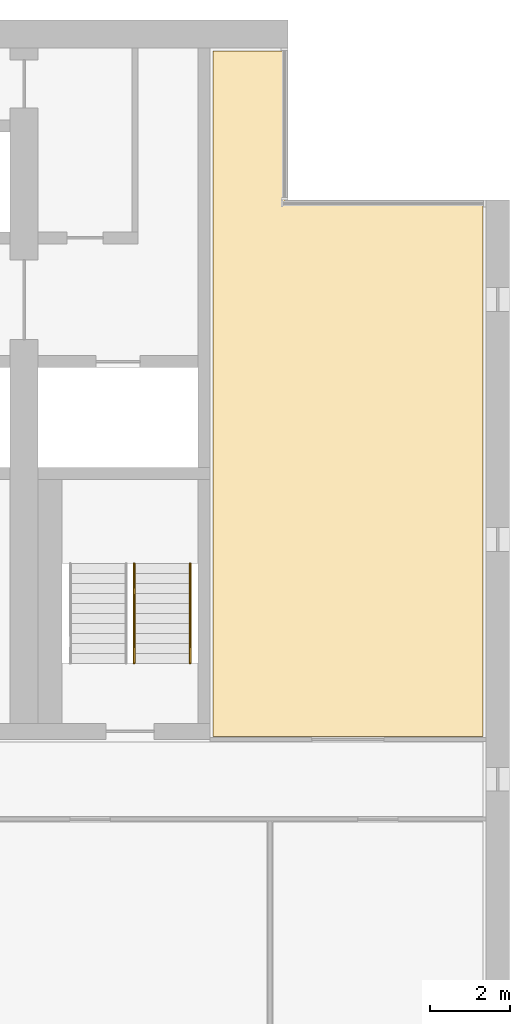
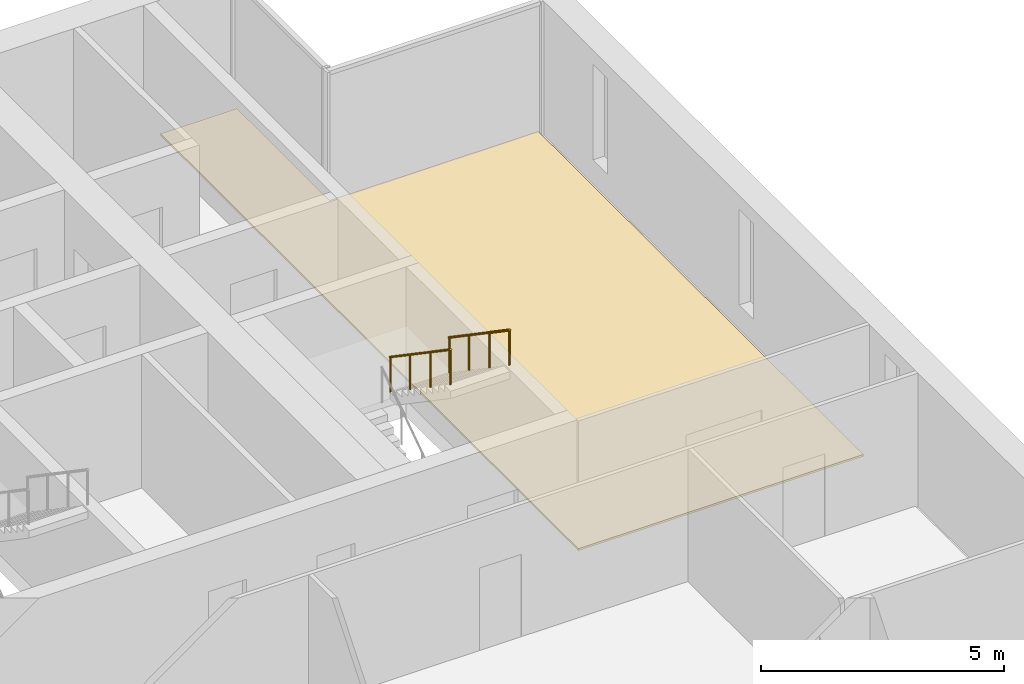
# One storey, part 17 of 17: 2 railings, 1 covering, 1 element without a shape of its own.
"""IFC4 building model written with IfcOpenShell, lengths in metres."""

import ifcopenshell
import ifcopenshell.guid

model = None  # the IFC model being written
_history = None  # IfcOwnerHistory: only IFC2X3 demands one
_inside = {}  # id of a spatial element -> (the spatial element, [elements in it])
_under = {}  # id of a project, library or spatial element -> (it, [spatial elements below it])
_declared = {}  # id of a project -> (the project, [libraries it declares])
_typed = {}  # id of a type object -> (the type object, [elements of that type])
_made_of = {}  # id of a material, layer set ... -> (it, [elements and type objects made of it])


def new_model(schema):
    """Start an empty IFC model of exactly this schema.

    Asked for "IFC4X3", IfcOpenShell would pick the latest addendum, in which some entities
    have other attributes; the version numbers below select the first issue.
    IFC2X3 requires an IfcOwnerHistory on every rooted entity: one is made here for all.
    """
    global model, _history
    if schema == "IFC4X3":
        model = ifcopenshell.file(schema_version=(4, 3, 0, 0))
    else:
        model = ifcopenshell.file(schema=schema)
    _inside.clear()
    _under.clear()
    _declared.clear()
    _typed.clear()
    _made_of.clear()
    _history = None
    if model.schema == "IFC2X3":
        org = make("IfcOrganization", Name="unknown")
        user = make(
            "IfcPersonAndOrganization",
            ThePerson=make("IfcPerson", FamilyName="unknown"),
            TheOrganization=org,
        )
        app = make(
            "IfcApplication",
            ApplicationDeveloper=org,
            Version="unknown",
            ApplicationFullName="unknown",
            ApplicationIdentifier="unknown",
        )
        _history = make(
            "IfcOwnerHistory",
            OwningUser=user,
            OwningApplication=app,
            ChangeAction="ADDED",
            CreationDate=0,
        )
    return model


def make(cls, **values):
    """One entity of the class cls with the attributes given. An attribute that is None is left unset."""
    return model.create_entity(
        cls, **{name: value for name, value in values.items() if value is not None}
    )


def rooted(cls, **values):
    """An entity with a GlobalId (a new one), such as an element, a storey or a relation."""
    return make(cls, GlobalId=ifcopenshell.guid.new(), OwnerHistory=_history, **values)


def si_unit(unit_type, name, prefix=None):
    """IfcSIUnit, for example si_unit("LENGTHUNIT", "METRE", prefix="MILLI")."""
    return make("IfcSIUnit", UnitType=unit_type, Prefix=prefix, Name=name)


def assignment(units):
    """IfcUnitAssignment: the units of a project."""
    return None if units is None else make("IfcUnitAssignment", Units=units)


def point(xyz):
    """IfcCartesianPoint."""
    return None if xyz is None else make("IfcCartesianPoint", Coordinates=xyz)


def direction(xyz):
    """IfcDirection."""
    return None if xyz is None else make("IfcDirection", DirectionRatios=xyz)


def frame(location, z_axis=None, x_axis=None):
    """IfcAxis2Placement3D, a coordinate frame: its origin and axes. An axis left out is left unset."""
    return make(
        "IfcAxis2Placement3D",
        Location=point(location),
        Axis=direction(z_axis),
        RefDirection=direction(x_axis),
    )


def frame_2d(location, x_axis=None):
    """IfcAxis2Placement2D, a coordinate frame in the plane: its origin and x axis."""
    return make(
        "IfcAxis2Placement2D", Location=point(location), RefDirection=direction(x_axis)
    )


def origin():
    """The frame at (0, 0, 0) with its axes left unset."""
    return frame((0.0, 0.0, 0.0))


def origin_2d():
    """The frame at (0, 0) in the plane with its x axis left unset."""
    return frame_2d((0.0, 0.0))


def place(relative_to, where):
    """IfcLocalPlacement: puts the frame where relative to a parent placement (None: the world)."""
    return make(
        "IfcLocalPlacement", PlacementRelTo=relative_to, RelativePlacement=where
    )


def context(
    kind, dimensions, precision=None, world=None, true_north=None, identifier=None
):
    """IfcGeometricRepresentationContext, for example the 3D "Model" context."""
    return make(
        "IfcGeometricRepresentationContext",
        ContextIdentifier=identifier,
        ContextType=kind,
        CoordinateSpaceDimension=dimensions,
        Precision=precision,
        WorldCoordinateSystem=world,
        TrueNorth=true_north,
    )


def subcontext(parent, identifier, kind, view, scale=None):
    """IfcGeometricRepresentationSubContext, for example "Body" below "Model"."""
    return make(
        "IfcGeometricRepresentationSubContext",
        ContextIdentifier=identifier,
        ContextType=kind,
        ParentContext=parent,
        TargetScale=scale,
        TargetView=view,
    )


def project(units=None, contexts=None):
    """IfcProject with its units and contexts."""
    return rooted(
        "IfcProject",
        Name="project",
        RepresentationContexts=contexts,
        UnitsInContext=assignment(units),
    )


def spatial(cls, under=None, at=None, **own):
    """A site, building, storey or space (cls), placed at a placement, below another one or the project."""
    s = rooted(cls, ObjectPlacement=at, **own)
    if under is not None:
        _under.setdefault(under.id(), (under, []))[1].append(s)
    return s


def polyline(points):
    """IfcPolyline through the points."""
    return make("IfcPolyline", Points=[point(p) for p in points])


def profile(cls, at=None, kind="AREA", **sizes):
    """A parametric profile (cls). Its sizes go by their IFC names, for example OverallWidth=200.0."""
    return make(cls, ProfileType=kind, Position=at, **sizes)


def circle(**sizes):
    """IfcCircleProfileDef."""
    return profile("IfcCircleProfileDef", **sizes)


def outline(outer, holes=None, kind="AREA"):
    """IfcArbitraryClosedProfileDef: a profile drawn as a closed curve; with holes, ...WithVoids."""
    if holes is None:
        return make("IfcArbitraryClosedProfileDef", ProfileType=kind, OuterCurve=outer)
    return make(
        "IfcArbitraryProfileDefWithVoids",
        ProfileType=kind,
        OuterCurve=outer,
        InnerCurves=holes,
    )


def extrude(swept, where, along, depth):
    """IfcExtrudedAreaSolid: the profile swept, set in the frame where, extruded along a direction by depth."""
    return make(
        "IfcExtrudedAreaSolid",
        SweptArea=swept,
        Position=where,
        ExtrudedDirection=direction(along),
        Depth=depth,
    )


def shape(context_of_items, identifier, shape_type, items):
    """IfcShapeRepresentation: the items that make up one representation, for example the "Body"."""
    return make(
        "IfcShapeRepresentation",
        ContextOfItems=context_of_items,
        RepresentationIdentifier=identifier,
        RepresentationType=shape_type,
        Items=items,
    )


def material(Name=None, Category=None):
    """IfcMaterial."""
    return make("IfcMaterial", Name=Name, Category=Category)


def layer(
    of_material, thickness, ventilated=None, Name=None, Category=None, Priority=None
):
    """IfcMaterialLayer: one layer of a wall or slab, of a material (None: an air gap)."""
    return make(
        "IfcMaterialLayer",
        Material=of_material,
        LayerThickness=thickness,
        IsVentilated=ventilated,
        Name=Name,
        Category=Category,
        Priority=Priority,
    )


def layer_set(layers, Name=None):
    """IfcMaterialLayerSet."""
    return make("IfcMaterialLayerSet", MaterialLayers=layers, LayerSetName=Name)


def made_of(thing, what):
    """Note that an element or type object is made of a material, layer set ...; save() writes the relation."""
    if what is not None:
        _made_of.setdefault(what.id(), (what, []))[1].append(thing)
    return thing


def type_object(cls, material=None, **own):
    """A type object (cls), such as IfcWallType, which elements share."""
    return made_of(rooted(cls, **own), material)


def element(
    cls,
    number,
    at=None,
    inside=None,
    cuts=None,
    type_object=None,
    material=None,
    context=None,
    identifier="Body",
    shape_type=None,
    held_by="IfcProductDefinitionShape",
    body=None,
    shapes=None,
    **own,
):
    """One element of the class cls, such as IfcWall. Its Tag is "e" and its number.

    at: its placement. inside: the storey or other place that contains it. cuts: it is an
    opening in that element (IfcRelVoidsElement). A single representation is given by context,
    identifier, shape_type and body (its items); several are given by shapes. held_by: the class
    of the entity that holds the representations. save() writes the other relations.
    """
    e = rooted(cls, Tag="e%d" % number, ObjectPlacement=at, **own)
    if body is not None:
        shapes = [shape(context, identifier, shape_type, body)]
    if shapes is not None:
        e.Representation = make(held_by, Representations=shapes)
    if inside is not None:
        _inside.setdefault(inside.id(), (inside, []))[1].append(e)
    if cuts is not None:
        rooted(
            "IfcRelVoidsElement", RelatingBuildingElement=cuts, RelatedOpeningElement=e
        )
    if type_object is not None:
        _typed.setdefault(type_object.id(), (type_object, []))[1].append(e)
    return made_of(e, material)


def aggregate(whole, parts):
    """IfcRelAggregates: a whole, such as a stair, and the parts it consists of."""
    return rooted("IfcRelAggregates", RelatingObject=whole, RelatedObjects=parts)


def save(model, path):
    """Write the relations noted so far, then the file.

    IfcRelAggregates (storeys below a building ...), IfcRelContainedInSpatialStructure (elements
    in a storey), IfcRelDefinesByType, IfcRelAssociatesMaterial and IfcRelDeclares: one each for
    every whole, place, type object, material and project.
    """
    for whole, parts in _under.values():
        aggregate(whole, parts)
    for where, things in _inside.values():
        rooted(
            "IfcRelContainedInSpatialStructure",
            RelatedElements=things,
            RelatingStructure=where,
        )
    for kind, things in _typed.values():
        rooted("IfcRelDefinesByType", RelatedObjects=things, RelatingType=kind)
    for what, things in _made_of.values():
        rooted("IfcRelAssociatesMaterial", RelatedObjects=things, RelatingMaterial=what)
    for by, libraries in _declared.values():
        rooted("IfcRelDeclares", RelatingContext=by, RelatedDefinitions=libraries)
    model.write(path)


model = new_model("IFC4")

# Units and contexts
model_context = context("Model", 3, precision=1e-05, world=origin(), true_north=direction((0.0, 1.0)))
body_context = subcontext(model_context, "Body", "Model", "MODEL_VIEW")
ifc_project = project(units=[si_unit("LENGTHUNIT", "METRE"), si_unit("AREAUNIT", "SQUARE_METRE"), si_unit("VOLUMEUNIT", "CUBIC_METRE"), si_unit("PLANEANGLEUNIT", "RADIAN"), si_unit("MASSUNIT", "GRAM", prefix="KILO")], contexts=[model_context])

# Site, building, storey
site_placement = place(None, origin())
site = spatial("IfcSite", under=ifc_project, at=site_placement, CompositionType="ELEMENT")
building_placement = place(site_placement, origin())
building = spatial("IfcBuilding", under=site, at=building_placement, Name="Calvaro Tower", CompositionType="ELEMENT")
storey_placement = place(building_placement, frame((0.0, 0.0, 174.25)))
storey = spatial("IfcBuildingStorey", under=building, at=storey_placement, Name="L43", CompositionType="ELEMENT", Elevation=174.25)

# Covering
ifc_material_1 = material(Name="Cement screed with carpet tile finish")
ifc_layer = layer(ifc_material_1, 0.050048828125)
ifc_layer_set = layer_set([ifc_layer], Name="Cement screed with carpet tile finish")
covering_type = type_object("IfcCoveringType", Name="Floor finish 50", PredefinedType="FLOORING", material=ifc_layer_set)
covering_placement = place(storey_placement, origin())
element("IfcCovering", 1, at=covering_placement, inside=storey, type_object=covering_type, Name="Floor finish 25.19", PredefinedType="FLOORING", context=body_context, shape_type="SweptSolid", body=[
    extrude(outline(polyline([(71.330078125, 28.070068359375), (64.570068359375, 28.070068359375), (64.570068359375, 45.22998046875), (66.3798828125, 45.22998046875), (66.3798828125, 41.429931640625), (71.330078125, 41.429931640625), (71.330078125, 28.070068359375)])), origin(), (0.0, 0.0, 1.0), 0.050048828125),
])

# Stair, railings
ifc_material_2 = material(Name="Concrete C40/50", Category="concrete")
stair_type = type_object("IfcStairType", Name="Exit stair 1400 2 flights", PredefinedType="HALF_TURN_STAIR", material=ifc_material_2)
stair_placement = place(storey_placement, origin())
stair = element("IfcStair", 2, at=stair_placement, inside=storey, type_object=stair_type, Name="Exit stair S5", PredefinedType="HALF_TURN_STAIR")
ifc_material_3 = material(Name="Stainless steel", Category="steel")
railing_type = type_object("IfcRailingType", Name="Stair handrail", PredefinedType="HANDRAIL", material=ifc_material_3)
railing_1_placement = place(storey_placement, frame((62.60009765625, 32.39990234375, 2.04541015625)))
railing_1 = element("IfcRailing", 3, at=railing_1_placement, type_object=railing_type, Name="Exit stair 5 handrail", PredefinedType="HANDRAIL", context=body_context, shape_type="SweptSolid", body=[
    extrude(circle(Radius=0.02392578125, at=origin_2d()), frame((0.0, 0.0, 0.8759765625), z_axis=(0.0, -0.826220514629, 0.563346839174), x_axis=(1.0, 0.0, 0.0)), (0.0, 0.0, 1.0), 3.02587890625),
    extrude(circle(Radius=0.02099609375, at=origin_2d()), frame((0.0, -0.017333984375, 0.01171875)), (0.0, 0.0, 1.0), 0.851806640625),
    extrude(circle(Radius=0.02099609375, at=origin_2d()), frame((0.0, -0.833251953125, 0.568115234375)), (0.0, 0.0, 1.0), 0.851806640625),
    extrude(circle(Radius=0.02099609375, at=origin_2d()), frame((0.0, -1.666748046875, 1.136474609375)), (0.0, 0.0, 1.0), 0.851806640625),
    extrude(circle(Radius=0.02099609375, at=origin_2d()), frame((0.0, -2.482666015625, 1.69287109375)), (0.0, 0.0, 1.0), 0.851806640625),
])
railing_2_placement = place(storey_placement, frame((64.0, 32.39990234375, 2.04541015625)))
railing_2 = element("IfcRailing", 4, at=railing_2_placement, type_object=railing_type, Name="Exit stair 5 handrail", PredefinedType="HANDRAIL", context=body_context, shape_type="SweptSolid", body=[
    extrude(circle(Radius=0.02392578125, at=origin_2d()), frame((0.0, 0.0, 0.8759765625), z_axis=(0.0, -0.826220514629, 0.563346839174), x_axis=(1.0, 0.0, 0.0)), (0.0, 0.0, 1.0), 3.02587890625),
    extrude(circle(Radius=0.02099609375, at=origin_2d()), frame((0.0, -0.017333984375, 0.01171875)), (0.0, 0.0, 1.0), 0.851806640625),
    extrude(circle(Radius=0.02099609375, at=origin_2d()), frame((0.0, -0.833251953125, 0.568115234375)), (0.0, 0.0, 1.0), 0.851806640625),
    extrude(circle(Radius=0.02099609375, at=origin_2d()), frame((0.0, -1.666748046875, 1.136474609375)), (0.0, 0.0, 1.0), 0.851806640625),
    extrude(circle(Radius=0.02099609375, at=origin_2d()), frame((0.0, -2.482666015625, 1.69287109375)), (0.0, 0.0, 1.0), 0.851806640625),
])
aggregate(stair, [railing_1, railing_2])

save(model, "model.ifc")
